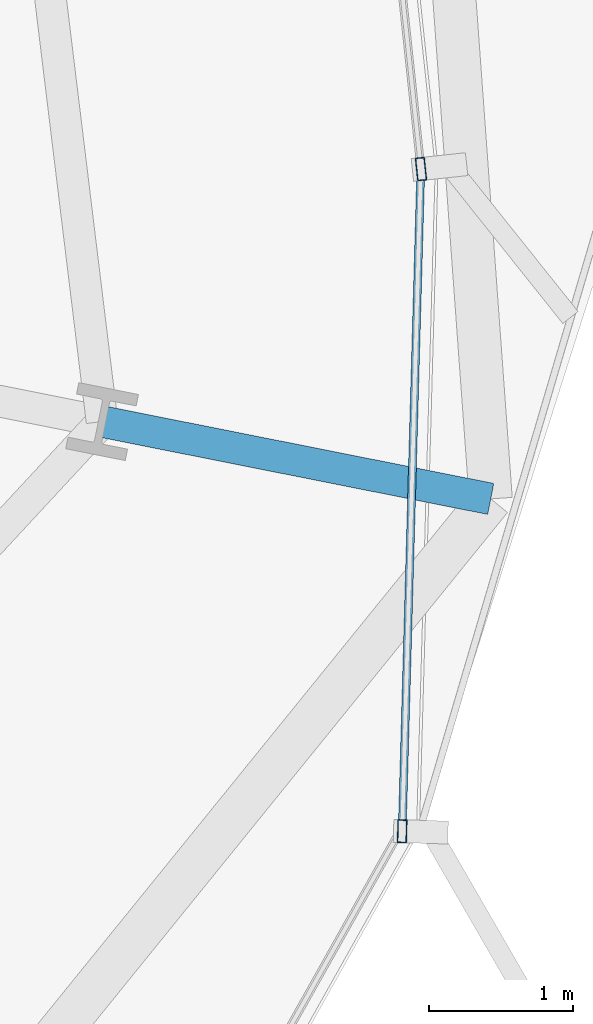
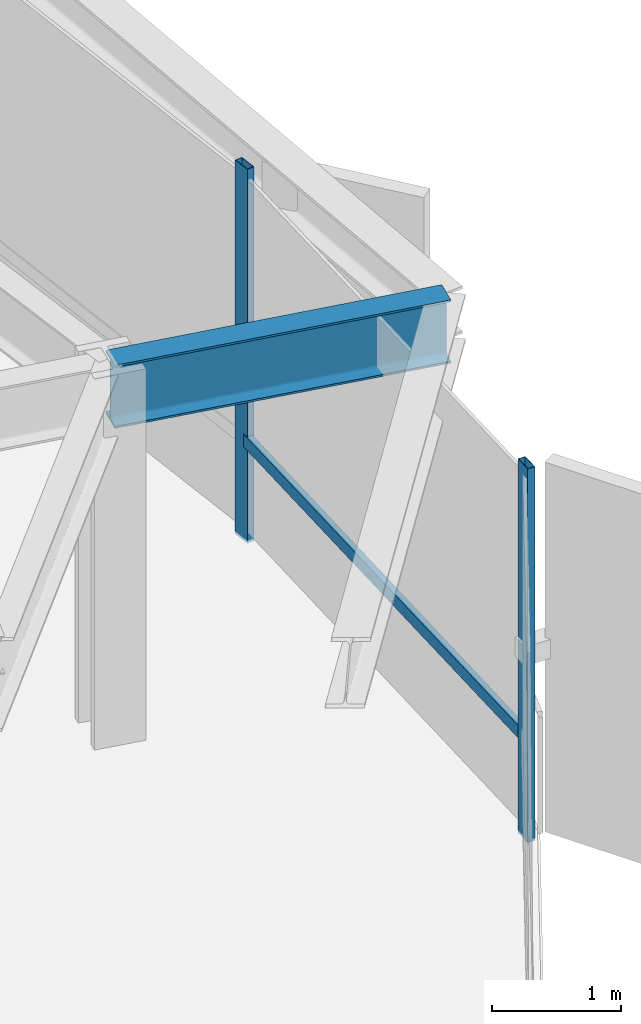
# One storey, part 16 of 39: 3 members, 1 beam, 1 element without a shape of its own.
"""IFC4 building model written with IfcOpenShell, lengths in metres."""

from ifc_helpers import new_model, si_unit, direction, frame, origin, origin_2d, place, context, subcontext, project, spatial, hollow_rectangle, i_section, extrude, source, transform, mapped, material, layer, layer_set, material_profile, profile_set, type_object, element, aggregate, save


model = new_model("IFC4")

# Units and contexts
model_context = context("Model", 3, precision=1e-05, world=origin(), true_north=direction((0.0, 1.0)))
body_context = subcontext(model_context, "Body", "Model", "MODEL_VIEW")
ifc_project = project(units=[si_unit("LENGTHUNIT", "METRE"), si_unit("AREAUNIT", "SQUARE_METRE"), si_unit("VOLUMEUNIT", "CUBIC_METRE"), si_unit("PLANEANGLEUNIT", "RADIAN"), si_unit("MASSUNIT", "GRAM", prefix="KILO"), si_unit("THERMODYNAMICTEMPERATUREUNIT", "KELVIN")], contexts=[model_context])

# Site, building, storey
site_placement = place(None, origin())
site = spatial("IfcSite", under=ifc_project, at=site_placement, CompositionType="ELEMENT")
building_placement = place(site_placement, origin())
building = spatial("IfcBuilding", under=site, at=building_placement, Name="Kethvar Cultural Tower", CompositionType="ELEMENT")
storey_placement = place(building_placement, frame((0.0, 0.0, 33.39990234375)))
storey = spatial("IfcBuildingStorey", under=building, at=storey_placement, Name="L07", CompositionType="ELEMENT", Elevation=33.39990234375)

# Beam
ifc_material_1 = material(Name="Steel S355J2", Category="steel")
ifc_material_profile_1 = material_profile(ifc_material_1, i_section(OverallWidth=0.219970703125, OverallDepth=0.60009765625, WebThickness=0.011962890625, FlangeThickness=0.01904296875, FilletRadius=0.02392578125, at=origin_2d()), Name="Steel S355J2 — IPE600")
ifc_profile_set_1 = profile_set([ifc_material_profile_1], Name="Steel S355J2 — IPE600")
beam_type = type_object("IfcBeamType", Name="BM-IPE600", PredefinedType="BEAM", material=ifc_profile_set_1)
shared_shape_1 = source(origin(), body_context, "Body", "SweptSolid", [
    extrude(i_section(OverallWidth=0.219970703125, OverallDepth=0.60009765625, WebThickness=0.011962890625, FlangeThickness=0.01904296875, FilletRadius=0.02392578125, at=origin_2d()), origin(), (0.0, 0.0, 1.0), 2.76025390625),
])
beam_placement = place(storey_placement, frame((74.9912109375, 22.1923828125, 3.248046875), z_axis=(0.980780867221, -0.195112507268, 0.0), x_axis=(0.195112507268, 0.980780867221, 0.0)))
element("IfcBeam", 1, at=beam_placement, inside=storey, type_object=beam_type, Name="L07 Perimeter Cantilever Beam RC-16", PredefinedType="BEAM", context=body_context, shape_type="MappedRepresentation", body=[
    mapped(shared_shape_1, transform((0.0, 0.0, 0.0), scale=1.0)),
])

# Curtain wall, members
ifc_material_2 = material(Name="Aluminium 6063-T6", Category="aluminium")
ifc_layer = layer(ifc_material_2, 0.179931640625, Name="Aluminium 6063-T6", Category="aluminium")
ifc_layer_set = layer_set([ifc_layer], Name="Aluminium 6063-T6 (180 mm)")
curtain_wall_type = type_object("IfcCurtainWallType", Name="CW-SYS-02-Z1", PredefinedType="NOTDEFINED", material=ifc_layer_set)
curtain_wall_placement = place(storey_placement, origin())
curtain_wall = element("IfcCurtainWall", 2, at=curtain_wall_placement, inside=storey, type_object=curtain_wall_type, Name="L07 Curtain Wall Run 07", PredefinedType="NOTDEFINED")
ifc_material_profile_2 = material_profile(ifc_material_2, hollow_rectangle(XDim=0.06494140625, YDim=0.159912109375, WallThickness=0.0048828125, at=origin_2d()), Name="Aluminium 6063-T6 — RHS160x65x5")
ifc_profile_set_2 = profile_set([ifc_material_profile_2], Name="Aluminium 6063-T6 — RHS160x65x5")
member_type_1 = type_object("IfcMemberType", Name="CW-SYS-02-Z1-MUL", PredefinedType="MULLION", material=ifc_profile_set_2)
shared_shape_2 = source(origin(), body_context, "Body", "SweptSolid", [
    extrude(hollow_rectangle(XDim=0.06494140625, YDim=0.159912109375, WallThickness=0.0048828125, at=origin_2d()), origin(), (0.0, 0.0, 1.0), 3.550048828125),
])
member_1_placement = place(storey_placement, frame((77.08154296875, 19.339111328125, 0.0), z_axis=(0.0, 0.0, 1.0), x_axis=(-0.999603262656, 0.028165888716, 0.0)))
member_1 = element("IfcMember", 3, at=member_1_placement, type_object=member_type_1, Name="CW-L07-R07 Mullion 3", PredefinedType="MULLION", context=body_context, shape_type="MappedRepresentation", body=[
    mapped(shared_shape_2, transform((0.0, 0.0, 0.0), scale=1.0)),
])
member_2_placement = place(storey_placement, frame((77.212646484375, 23.951416015625, 0.0), z_axis=(0.0, 0.0, 1.0), x_axis=(-0.994365729926, -0.106003750633, 0.0)))
member_2 = element("IfcMember", 4, at=member_2_placement, type_object=member_type_1, Name="CW-L07-R07 Mullion 4", PredefinedType="MULLION", context=body_context, shape_type="MappedRepresentation", body=[
    mapped(shared_shape_2, transform((0.0, 0.0, 0.0), scale=1.0)),
])
ifc_material_profile_3 = material_profile(ifc_material_2, hollow_rectangle(XDim=0.054931640625, YDim=0.1201171875, WallThickness=0.00390625, at=origin_2d()), Name="Aluminium 6063-T6 — RHS120x55x4")
ifc_profile_set_3 = profile_set([ifc_material_profile_3], Name="Aluminium 6063-T6 — RHS120x55x4")
member_type_2 = type_object("IfcMemberType", Name="CW-SYS-02-Z1-TRN", PredefinedType="USERDEFINED", material=ifc_profile_set_3)
shared_shape_3 = source(origin(), body_context, "Body", "SweptSolid", [
    extrude(hollow_rectangle(XDim=0.054931640625, YDim=0.1201171875, WallThickness=0.00390625, at=origin_2d()), origin(), (0.0, 0.0, 1.0), 4.53662109375),
])
member_3_placement = place(storey_placement, frame((77.0830078125, 19.385986328125, 0.9501953125), z_axis=(0.028144969827, 0.99960385187, 0.0), x_axis=(-0.99960385187, 0.028144969827, 0.0)))
member_3 = element("IfcMember", 5, at=member_3_placement, type_object=member_type_2, Name="CW-L07-R07 Transom 3", ObjectType="TRANSOM", PredefinedType="USERDEFINED", context=body_context, shape_type="MappedRepresentation", body=[
    mapped(shared_shape_3, transform((0.0, 0.0, 0.0), scale=1.0)),
])
aggregate(curtain_wall, [member_1, member_2, member_3])

save(model, "model.ifc")
